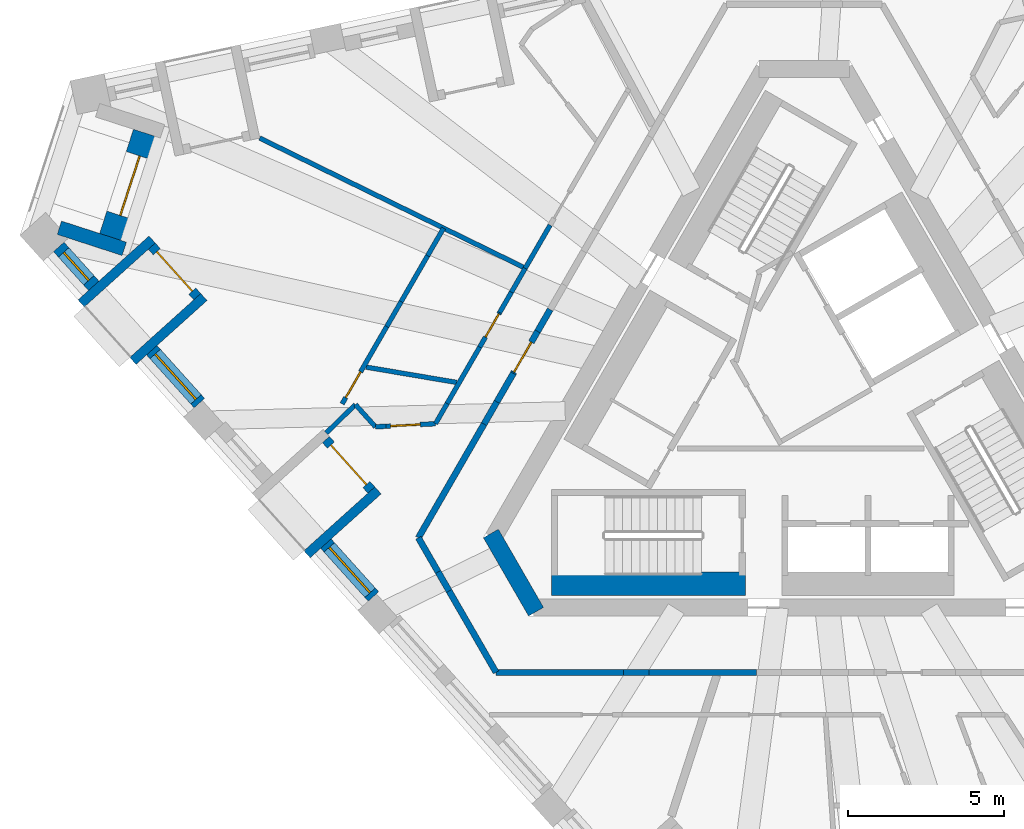
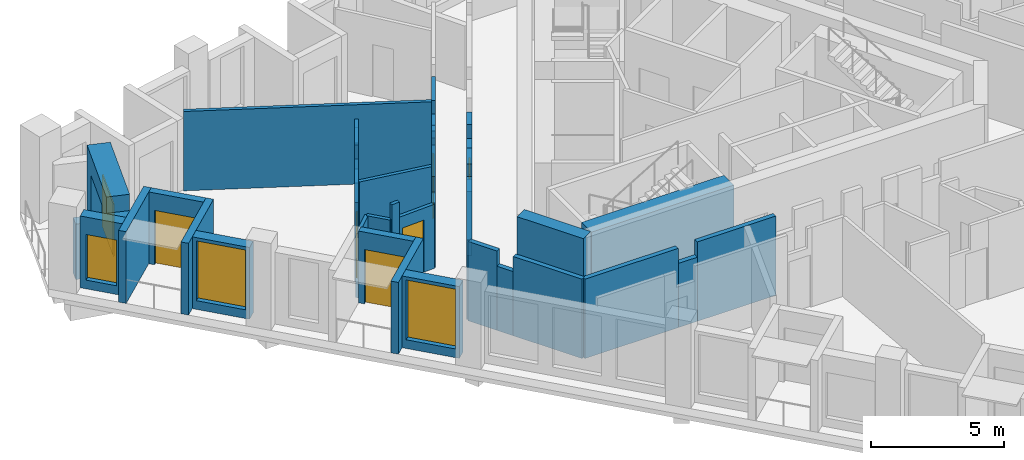
# One storey, part 3 of 12: 39 walls, 7 doors, 3 windows, 10 openings.
"""IFC4 building model written with IfcOpenShell, lengths in metres."""

from ifc_helpers import new_model, si_unit, direction, frame, frame_2d, origin, place, context, subcontext, project, spatial, polyline, rectangle, outline, extrude, material, layer, layer_set, type_object, element, fill, save


model = new_model("IFC4")

# Units and contexts
model_context = context("Model", 3, precision=1e-05, world=origin(), true_north=direction((0.0, 1.0)))
body_context = subcontext(model_context, "Body", "Model", "MODEL_VIEW")
ifc_project = project(units=[si_unit("LENGTHUNIT", "METRE"), si_unit("AREAUNIT", "SQUARE_METRE"), si_unit("VOLUMEUNIT", "CUBIC_METRE"), si_unit("PLANEANGLEUNIT", "RADIAN"), si_unit("MASSUNIT", "GRAM", prefix="KILO")], contexts=[model_context])

# Site, building, storey
site_placement = place(None, origin())
site = spatial("IfcSite", under=ifc_project, at=site_placement, CompositionType="ELEMENT")
building_placement = place(site_placement, origin())
building = spatial("IfcBuilding", under=site, at=building_placement, Name="Tramontana Tower", CompositionType="ELEMENT")
storey_placement = place(building_placement, frame((0.0, 0.0, 340.39990234375)))
storey = spatial("IfcBuildingStorey", under=building, at=storey_placement, Name="L78", CompositionType="ELEMENT", Elevation=340.39990234375)

# Walls
ifc_material_1 = material(Name="Concrete 70 MPa", Category="concrete")
ifc_layer_1 = layer(ifc_material_1, 0.550048828125)
ifc_layer_set_1 = layer_set([ifc_layer_1], Name="Core wall 550 70 MPa")
wall_type_1 = type_object("IfcWallType", Name="Core wall 550 70 MPa", PredefinedType="SHEAR", material=ifc_layer_set_1)
wall_1_placement = place(storey_placement, frame((-10.009765625, -4.112548828125, 0.0), z_axis=(0.0, 0.0, 1.0), x_axis=(0.499995765644, -0.866027848477, 0.0)))
element("IfcWall", 1, at=wall_1_placement, inside=storey, type_object=wall_type_1, Name="Core wall C2 L78", PredefinedType="SHEAR", context=body_context, shape_type="SweptSolid", body=[
    extrude(rectangle(XDim=2.88671875, YDim=0.550048828125, at=frame_2d((1.443359375, 0.0))), origin(), (0.0, 0.0, 1.0), 4.0),
])
ifc_material_2 = material(Name="Blockwork", Category="masonry")
ifc_layer_2 = layer(ifc_material_2, 0.199951171875)
ifc_layer_set_2 = layer_set([ifc_layer_2], Name="ENTRY WALL 200")
wall_type_2 = type_object("IfcWallType", Name="ENTRY WALL 200", PredefinedType="SOLIDWALL", material=ifc_layer_set_2)
wall_2_placement = place(storey_placement, frame((-1.528564453125, -8.550048828125, 0.0), z_axis=(0.0, 0.0, 1.0), x_axis=(-1.0, 0.0, 0.0)))
element("IfcWall", 2, at=wall_2_placement, inside=storey, type_object=wall_type_2, Name="Wall v81-ew1-8", PredefinedType="SOLIDWALL", context=body_context, shape_type="SweptSolid", body=[
    extrude(rectangle(XDim=3.423095703125, YDim=0.199951171875, at=frame_2d((1.71142578125, 0.0))), origin(), (0.0, 0.0, 1.0), 3.650146484375),
])
wall_3_placement = place(storey_placement, frame((-4.95166015625, -8.550048828125, 0.0), z_axis=(0.0, 0.0, 1.0), x_axis=(-1.0, 0.0, 0.0)))
element("IfcWall", 3, at=wall_3_placement, inside=storey, type_object=wall_type_2, Name="Wall v81-ew1-9", PredefinedType="SOLIDWALL", context=body_context, shape_type="SweptSolid", body=[
    extrude(rectangle(XDim=0.826416015625, YDim=0.199951171875, at=frame_2d((0.4130859375, 0.0))), origin(), (0.0, 0.0, 1.0), 2.9501953125),
])
wall_4_placement = place(storey_placement, frame((-5.778076171875, -8.550048828125, 0.0), z_axis=(0.0, 0.0, 1.0), x_axis=(-1.0, 0.0, 0.0)))
element("IfcWall", 4, at=wall_4_placement, inside=storey, type_object=wall_type_2, Name="Wall v81-ew1-10", PredefinedType="SOLIDWALL", context=body_context, shape_type="SweptSolid", body=[
    extrude(rectangle(XDim=4.065673828125, YDim=0.199951171875, at=frame_2d((2.03271484375, 0.0))), origin(), (0.0, 0.0, 1.0), 3.650146484375),
])
wall_5_placement = place(storey_placement, frame((-9.84375, -8.550048828125, 0.0), z_axis=(0.0, 0.0, 1.0), x_axis=(-0.500003959331, 0.866023117852, 0.0)))
element("IfcWall", 5, at=wall_5_placement, inside=storey, type_object=wall_type_2, Name="Wall v81-ew2-0", PredefinedType="SOLIDWALL", context=body_context, shape_type="SweptSolid", body=[
    extrude(rectangle(XDim=3.0029296875, YDim=0.199951171875, at=frame_2d((1.50146484375, 0.0))), origin(), (0.0, 0.0, 1.0), 3.650146484375),
])
wall_6_placement = place(storey_placement, frame((-11.34521484375, -5.949462890625, 0.0), z_axis=(0.0, 0.0, 1.0), x_axis=(-0.499993523031, 0.866029143232, 0.0)))
element("IfcWall", 6, at=wall_6_placement, inside=storey, type_object=wall_type_2, Name="Wall v81-ew2-1", PredefinedType="SOLIDWALL", context=body_context, shape_type="SweptSolid", body=[
    extrude(rectangle(XDim=0.70166015625, YDim=0.199951171875, at=frame_2d((0.350830078125, 0.0))), origin(), (0.0, 0.0, 1.0), 2.9501953125),
])
wall_7_placement = place(storey_placement, frame((-11.696044921875, -5.341796875, 0.0), z_axis=(0.0, 0.0, 1.0), x_axis=(-0.500013012896, 0.866017890655, 0.0)))
element("IfcWall", 7, at=wall_7_placement, inside=storey, type_object=wall_type_2, Name="Wall v81-ew2-2", PredefinedType="SOLIDWALL", context=body_context, shape_type="SweptSolid", body=[
    extrude(rectangle(XDim=1.2607421875, YDim=0.199951171875, at=frame_2d((0.63037109375, 0.0))), origin(), (0.0, 0.0, 1.0), 3.650146484375),
])
wall_8_placement = place(storey_placement, frame((-12.326416015625, -4.25, 0.0), z_axis=(0.0, 0.0, 1.0), x_axis=(0.499982771656, 0.866035350345, 0.0)))
element("IfcWall", 8, at=wall_8_placement, inside=storey, type_object=wall_type_2, Name="Wall v81-ew3-0", PredefinedType="SOLIDWALL", context=body_context, shape_type="SweptSolid", body=[
    extrude(rectangle(XDim=4.194580078125, YDim=0.199951171875, at=frame_2d((2.09716796875, 0.0))), origin(), (0.0, 0.0, 1.0), 3.650146484375),
])
wall_9_placement = place(storey_placement, frame((-10.229248046875, -0.617431640625, 0.0), z_axis=(0.0, 0.0, 1.0), x_axis=(0.5001686003, 0.865928040471, 0.0)))
element("IfcWall", 9, at=wall_9_placement, inside=storey, type_object=wall_type_2, Name="Wall v81-ew3-1", PredefinedType="SOLIDWALL", context=body_context, shape_type="SweptSolid", body=[
    extrude(rectangle(XDim=0.821044921875, YDim=0.199951171875, at=frame_2d((0.41064453125, 0.0))), origin(), (0.0, 0.0, 1.0), 2.9501953125),
])
wall_10_placement = place(storey_placement, frame((-9.818603515625, 0.093505859375, 0.0), z_axis=(0.0, 0.0, 1.0), x_axis=(0.499890179513, 0.866088799389, 0.0)))
element("IfcWall", 10, at=wall_10_placement, inside=storey, type_object=wall_type_2, Name="Wall v81-ew3-2", PredefinedType="SOLIDWALL", context=body_context, shape_type="SweptSolid", body=[
    extrude(rectangle(XDim=1.050048828125, YDim=0.199951171875, at=frame_2d((0.52490234375, 0.0))), origin(), (0.0, 0.0, 1.0), 3.650146484375),
])

# Wall, opening, door
wall_11_placement = place(storey_placement, frame((-9.293701171875, 1.0029296875, 0.0), z_axis=(0.0, 0.0, 1.0), x_axis=(0.500054401891, 0.86599399256, 0.0)))
wall_11 = element("IfcWall", 11, at=wall_11_placement, inside=storey, type_object=wall_type_2, Name="Wall v81-ew3-3", PredefinedType="SOLIDWALL", context=body_context, shape_type="SweptSolid", body=[
    extrude(outline(polyline([(0.0, 0.0), (1.549072265625, 0.0), (1.549072265625, 2.550048828125), (0.605224609375, 2.550048828125), (0.605224609375, 3.650146484375), (0.0, 3.650146484375), (0.0, 0.0)])), frame((0.0, 0.10009765625, 0.0), z_axis=(0.0, -1.0, 0.0), x_axis=(1.0, 0.0, 0.0)), (0.0, 0.0, 1.0), 0.199951171875),
])
opening_1_placement = place(wall_11_placement, frame((0.050048828125, 0.0, 0.0)))
opening_1 = element("IfcOpeningElement", 12, at=opening_1_placement, cuts=wall_11, Name="Opening B8B-16", PredefinedType="OPENING", context=body_context, shape_type="SweptSolid", body=[
    extrude(rectangle(XDim=1.10009765625, YDim=2.39990234375, at=frame_2d((0.550048828125, 1.199951171875))), frame((0.0, 0.10986328125, 0.0), z_axis=(0.0, -1.0, 0.0), x_axis=(1.0, 0.0, 0.0)), (0.0, 0.0, 1.0), 0.219970703125),
])
ifc_material_3 = material(Name="Painted timber", Category="wood")
door_type_1 = type_object("IfcDoorType", Name="DOOR ENTRY 1100", OperationType="SINGLE_SWING_LEFT", PredefinedType="DOOR", material=ifc_material_3)
door_1_placement = place(opening_1_placement, origin())
door_1 = element("IfcDoor", 13, at=door_1_placement, inside=storey, type_object=door_type_1, Name="Door B8B-16", OperationType="SINGLE_SWING_RIGHT", OverallHeight=2.39990234375, OverallWidth=1.10009765625, PredefinedType="DOOR", context=body_context, shape_type="SweptSolid", body=[
    extrude(rectangle(XDim=1.10009765625, YDim=2.39990234375, at=frame_2d((0.550048828125, 1.199951171875))), frame((0.0, 0.02490234375, 0.0), z_axis=(0.0, -1.0, 0.0), x_axis=(1.0, 0.0, 0.0)), (0.0, 0.0, 1.0), 0.050048828125),
])
fill(opening_1, door_1)

# Wall
wall_12_placement = place(storey_placement, frame((-8.51904296875, 2.344482421875, 0.0), z_axis=(0.0, 0.0, 1.0), x_axis=(0.499914554297, 0.866074730264, 0.0)))
element("IfcWall", 14, at=wall_12_placement, inside=storey, type_object=wall_type_2, Name="Wall v81-ew3-4", PredefinedType="SOLIDWALL", context=body_context, shape_type="SweptSolid", body=[
    extrude(rectangle(XDim=0.806884765625, YDim=0.199951171875, at=frame_2d((0.4033203125, 0.0))), origin(), (0.0, 0.0, 1.0), 3.650146484375),
])

# Wall, opening, window
ifc_material_4 = material(Name="Precast concrete 60 MPa", Category="concrete")
ifc_layer_3 = layer(ifc_material_4, 0.449951171875)
ifc_layer_set_3 = layer_set([ifc_layer_3], Name="Precast concrete 60 MPa, 450 mm")
wall_type_3 = type_object("IfcWallType", Name="EW1 Stone-faced precast wall 450", PredefinedType="SOLIDWALL", material=ifc_layer_set_3)
wall_13_placement = place(storey_placement, frame((-23.817138671875, 5.043212890625, 0.0), z_axis=(0.0, 0.0, 1.0), x_axis=(0.669182609054, -0.743097998746, 0.0)))
wall_13 = element("IfcWall", 15, at=wall_13_placement, inside=storey, type_object=wall_type_3, Name="External wall L78 face 0 bay 1", PredefinedType="SOLIDWALL", context=body_context, shape_type="SweptSolid", body=[
    extrude(rectangle(XDim=1.67138671875, YDim=0.449951171875, at=frame_2d((0.835693359375, 0.0))), origin(), (0.0, 0.0, 1.0), 3.300048828125),
])
opening_2_placement = place(wall_13_placement, frame((0.235595703125, 0.0, 0.39990234375)))
opening_2 = element("IfcOpeningElement", 16, at=opening_2_placement, cuts=wall_13, Name="Opening N3L", PredefinedType="OPENING", context=body_context, shape_type="SweptSolid", body=[
    extrude(rectangle(XDim=1.199951171875, YDim=2.10009765625, at=frame_2d((0.60009765625, 1.050048828125))), frame((0.0, 0.23486328125, 0.0), z_axis=(0.0, -1.0, 0.0), x_axis=(1.0, 0.0, 0.0)), (0.0, 0.0, 1.0), 0.469970703125),
])
ifc_material_5 = material(Name="Aluminum frame, double glazing unit", Category="aluminium")
window_type_1 = type_object("IfcWindowType", Name="N3L Window 1.2 x 2.1", PartitioningType="SINGLE_PANEL", PredefinedType="WINDOW", material=ifc_material_5)
window_1_placement = place(opening_2_placement, origin())
window_1 = element("IfcWindow", 17, at=window_1_placement, inside=storey, type_object=window_type_1, Name="Window N3L L78 face 0 module 1", OverallHeight=2.10009765625, OverallWidth=1.199951171875, PartitioningType="SINGLE_PANEL", PredefinedType="WINDOW", context=body_context, shape_type="SweptSolid", body=[
    extrude(rectangle(XDim=1.199951171875, YDim=2.10009765625, at=frame_2d((0.60009765625, 1.050048828125))), frame((0.0, 0.030029296875, 0.0), z_axis=(0.0, -1.0, 0.0), x_axis=(1.0, 0.0, 0.0)), (0.0, 0.0, 1.0), 0.06005859375),
])
fill(opening_2, window_1)

wall_14_placement = place(storey_placement, frame((-20.844482421875, 1.74169921875, 0.0), z_axis=(0.0, 0.0, 1.0), x_axis=(0.669160694992, -0.743117732447, 0.0)))
wall_14 = element("IfcWall", 18, at=wall_14_placement, inside=storey, type_object=wall_type_3, Name="External wall L78 face 0 bay 1", PredefinedType="SOLIDWALL", context=body_context, shape_type="SweptSolid", body=[
    extrude(rectangle(XDim=2.271240234375, YDim=0.449951171875, at=frame_2d((1.1357421875, 0.0))), origin(), (0.0, 0.0, 1.0), 3.300048828125),
])
opening_3_placement = place(wall_14_placement, frame((0.16064453125, 0.0, 0.39990234375)))
opening_3 = element("IfcOpeningElement", 19, at=opening_3_placement, cuts=wall_14, Name="Opening M3", PredefinedType="OPENING", context=body_context, shape_type="SweptSolid", body=[
    extrude(rectangle(XDim=1.949951171875, YDim=2.75, at=frame_2d((0.97509765625, 1.375))), frame((0.0, 0.23486328125, 0.0), z_axis=(0.0, -1.0, 0.0), x_axis=(1.0, 0.0, 0.0)), (0.0, 0.0, 1.0), 0.469970703125),
])
ifc_material_6 = material(Name="Aluminum frame, double glazing unit", Category="aluminium")
window_type_2 = type_object("IfcWindowType", Name="M3 Window 1.95 x 2.75", PartitioningType="SINGLE_PANEL", PredefinedType="WINDOW", material=ifc_material_6)
window_2_placement = place(opening_3_placement, origin())
window_2 = element("IfcWindow", 20, at=window_2_placement, inside=storey, type_object=window_type_2, Name="Window M3 L78 face 0 module 3", OverallHeight=2.75, OverallWidth=1.949951171875, PartitioningType="SINGLE_PANEL", PredefinedType="WINDOW", context=body_context, shape_type="SweptSolid", body=[
    extrude(rectangle(XDim=1.949951171875, YDim=2.75, at=frame_2d((0.97509765625, 1.375))), frame((0.0, 0.030029296875, 0.0), z_axis=(0.0, -1.0, 0.0), x_axis=(1.0, 0.0, 0.0)), (0.0, 0.0, 1.0), 0.06005859375),
])
fill(opening_3, window_2)

wall_15_placement = place(storey_placement, frame((-15.281494140625, -4.4365234375, 0.0), z_axis=(0.0, 0.0, 1.0), x_axis=(0.669107243666, -0.743165860676, 0.0)))
wall_15 = element("IfcWall", 21, at=wall_15_placement, inside=storey, type_object=wall_type_3, Name="External wall L78 face 0 bay 2", PredefinedType="SOLIDWALL", context=body_context, shape_type="SweptSolid", body=[
    extrude(rectangle(XDim=2.271240234375, YDim=0.449951171875, at=frame_2d((1.1357421875, 0.0))), origin(), (0.0, 0.0, 1.0), 3.300048828125),
])
opening_4_placement = place(wall_15_placement, frame((0.16064453125, 0.0, 0.39990234375)))
opening_4 = element("IfcOpeningElement", 22, at=opening_4_placement, cuts=wall_15, Name="Opening M3", PredefinedType="OPENING", context=body_context, shape_type="SweptSolid", body=[
    extrude(rectangle(XDim=1.949951171875, YDim=2.75, at=frame_2d((0.97509765625, 1.375))), frame((0.0, 0.23486328125, 0.0), z_axis=(0.0, -1.0, 0.0), x_axis=(1.0, 0.0, 0.0)), (0.0, 0.0, 1.0), 0.469970703125),
])
window_3_placement = place(opening_4_placement, origin())
window_3 = element("IfcWindow", 23, at=window_3_placement, inside=storey, type_object=window_type_2, Name="Window M3 L78 face 0 module 6", OverallHeight=2.75, OverallWidth=1.949951171875, PartitioningType="SINGLE_PANEL", PredefinedType="WINDOW", context=body_context, shape_type="SweptSolid", body=[
    extrude(rectangle(XDim=1.949951171875, YDim=2.75, at=frame_2d((0.97509765625, 1.375))), frame((0.0, 0.030029296875, 0.0), z_axis=(0.0, -1.0, 0.0), x_axis=(1.0, 0.0, 0.0)), (0.0, 0.0, 1.0), 0.06005859375),
])
fill(opening_4, window_3)

# Wall
wall_16_placement = place(storey_placement, frame((-23.79638671875, 5.6552734375, 0.0), z_axis=(0.0, 0.0, 1.0), x_axis=(0.951064526973, -0.308992338955, 0.0)))
element("IfcWall", 24, at=wall_16_placement, inside=storey, type_object=wall_type_3, Name="Corner loggia side wall L78 K80l", PredefinedType="SOLIDWALL", context=body_context, shape_type="SweptSolid", body=[
    extrude(rectangle(XDim=2.17919921875, YDim=0.449951171875, at=frame_2d((1.089599609375, 0.0))), origin(), (0.0, 0.0, 1.0), 2.550048828125),
])

# Wall, opening, door
ifc_material_7 = material(Name="Precast concrete 60 MPa", Category="concrete")
ifc_layer_4 = layer(ifc_material_7, 0.89990234375)
ifc_layer_set_4 = layer_set([ifc_layer_4], Name="EW2 Stone-faced corner loggia wall 900")
wall_type_4 = type_object("IfcWallType", Name="EW2 Stone-faced corner loggia wall 900", PredefinedType="SOLIDWALL", material=ifc_layer_set_4)
wall_17_placement = place(storey_placement, frame((-22.082275390625, 5.3349609375, 0.0), z_axis=(0.0, 0.0, 1.0), x_axis=(0.309019824916, 0.951055596592, 0.0)))
wall_17 = element("IfcWall", 25, at=wall_17_placement, inside=storey, type_object=wall_type_4, Name="Corner loggia wall L78 K80", PredefinedType="SOLIDWALL", context=body_context, shape_type="SweptSolid", body=[
    extrude(rectangle(XDim=3.5, YDim=0.89990234375, at=frame_2d((1.75, 0.0))), origin(), (0.0, 0.0, 1.0), 3.300048828125),
])
opening_5_placement = place(wall_17_placement, frame((0.75, 0.0, 0.0)))
opening_5 = element("IfcOpeningElement", 26, at=opening_5_placement, cuts=wall_17, Name="Opening BD-80C", PredefinedType="OPENING", context=body_context, shape_type="SweptSolid", body=[
    extrude(rectangle(XDim=2.0, YDim=2.39990234375, at=frame_2d((1.0, 1.199951171875))), frame((0.0, 0.4599609375, 0.0), z_axis=(0.0, -1.0, 0.0), x_axis=(1.0, 0.0, 0.0)), (0.0, 0.0, 1.0), 0.919921875),
])
ifc_material_8 = material(Name="Aluminum frame, double glazing unit", Category="aluminium")
door_type_2 = type_object("IfcDoorType", Name="BC1 Sliding door 2 x 2.4", OperationType="SLIDING_TO_LEFT", PredefinedType="DOOR", material=ifc_material_8)
door_2_placement = place(opening_5_placement, origin())
door_2 = element("IfcDoor", 27, at=door_2_placement, inside=storey, type_object=door_type_2, Name="Corner loggia door L78 K80", OperationType="SLIDING_TO_LEFT", OverallHeight=2.39990234375, OverallWidth=2.0, PredefinedType="DOOR", context=body_context, shape_type="SweptSolid", body=[
    extrude(rectangle(XDim=2.0, YDim=2.39990234375, at=frame_2d((1.0, 1.199951171875))), frame((0.0, 0.02490234375, 0.0), z_axis=(0.0, -1.0, 0.0), x_axis=(1.0, 0.0, 0.0)), (0.0, 0.0, 1.0), 0.050048828125),
])
fill(opening_5, door_2)

ifc_material_9 = material(Name="Precast concrete 60 MPa", Category="concrete")
ifc_layer_5 = layer(ifc_material_9, 0.300048828125)
ifc_layer_set_5 = layer_set([ifc_layer_5], Name="LW1 Stone-faced loggia wall 300")
wall_type_5 = type_object("IfcWallType", Name="LW1 Stone-faced loggia wall 300", PredefinedType="SOLIDWALL", material=ifc_layer_set_5)
wall_18_placement = place(storey_placement, frame((-20.844482421875, 5.067138671875, 0.0), z_axis=(0.0, 0.0, 1.0), x_axis=(0.669144868344, -0.743131983681, 0.0)))
wall_18 = element("IfcWall", 28, at=wall_18_placement, inside=storey, type_object=wall_type_5, Name="Loggia wall L78 G8S0.1", PredefinedType="SOLIDWALL", context=body_context, shape_type="SweptSolid", body=[
    extrude(rectangle(XDim=2.171142578125, YDim=0.300048828125, at=frame_2d((1.08544921875, 0.0))), origin(), (0.0, 0.0, 1.0), 3.300048828125),
])
opening_6_placement = place(wall_18_placement, frame((0.235595703125, 0.0, 0.0)))
opening_6 = element("IfcOpeningElement", 29, at=opening_6_placement, cuts=wall_18, Name="Opening BD-8S0-01", PredefinedType="OPENING", context=body_context, shape_type="SweptSolid", body=[
    extrude(rectangle(XDim=1.699951171875, YDim=2.5, at=frame_2d((0.85009765625, 1.25))), frame((0.0, 0.159912109375, 0.0), z_axis=(0.0, -1.0, 0.0), x_axis=(1.0, 0.0, 0.0)), (0.0, 0.0, 1.0), 0.320068359375),
])
ifc_material_10 = material(Name="Aluminum frame, double glazing unit", Category="aluminium")
door_type_3 = type_object("IfcDoorType", Name="BD3 Sliding door 1.7 x 2.5", OperationType="SLIDING_TO_LEFT", PredefinedType="DOOR", material=ifc_material_10)
door_3_placement = place(opening_6_placement, origin())
door_3 = element("IfcDoor", 30, at=door_3_placement, inside=storey, type_object=door_type_3, Name="Loggia door L78 G8S0.1", OperationType="SLIDING_TO_LEFT", OverallHeight=2.5, OverallWidth=1.699951171875, PredefinedType="DOOR", context=body_context, shape_type="SweptSolid", body=[
    extrude(rectangle(XDim=1.699951171875, YDim=2.5, at=frame_2d((0.85009765625, 1.25))), frame((0.0, 0.02490234375, 0.0), z_axis=(0.0, -1.0, 0.0), x_axis=(1.0, 0.0, 0.0)), (0.0, 0.0, 1.0), 0.050048828125),
])
fill(opening_6, door_3)

# Walls
for number, where, z_axis, x_axis, name in (
    (31, (-23.10009765625, 3.238037109375, 0.0), (0.0, 0.0, 1.0), (0.743158802514, 0.669115082961, 0.0), "Loggia return L78 G8S0.1a"),
    (32, (-21.446533203125, 1.401611328125, 0.0), (0.0, 0.0, 1.0), (0.743158802514, 0.669115082961, 0.0), "Loggia return L78 G8S0.1b"),
):
    element("IfcWall", number, at=place(storey_placement, frame(where, z_axis=z_axis, x_axis=x_axis)), inside=storey, type_object=wall_type_5, Name=name, PredefinedType="SOLIDWALL", context=body_context, shape_type="SweptSolid", body=[
        extrude(rectangle(XDim=3.050048828125, YDim=0.300048828125, at=frame_2d((1.52490234375, 0.0))), origin(), (0.0, 0.0, 1.0), 3.300048828125),
    ])

# Wall, opening, door
wall_19_placement = place(storey_placement, frame((-15.281494140625, -1.111328125, 0.0), z_axis=(0.0, 0.0, 1.0), x_axis=(0.669144868344, -0.743131983681, 0.0)))
wall_19 = element("IfcWall", 33, at=wall_19_placement, inside=storey, type_object=wall_type_5, Name="Loggia wall L78 G8S0.4", PredefinedType="SOLIDWALL", context=body_context, shape_type="SweptSolid", body=[
    extrude(rectangle(XDim=2.171142578125, YDim=0.300048828125, at=frame_2d((1.08544921875, 0.0))), origin(), (0.0, 0.0, 1.0), 3.300048828125),
])
opening_7_placement = place(wall_19_placement, frame((0.235595703125, 0.0, 0.0)))
opening_7 = element("IfcOpeningElement", 34, at=opening_7_placement, cuts=wall_19, Name="Opening BD-8S0-04", PredefinedType="OPENING", context=body_context, shape_type="SweptSolid", body=[
    extrude(rectangle(XDim=1.699951171875, YDim=2.5, at=frame_2d((0.85009765625, 1.25))), frame((0.0, 0.159912109375, 0.0), z_axis=(0.0, -1.0, 0.0), x_axis=(1.0, 0.0, 0.0)), (0.0, 0.0, 1.0), 0.320068359375),
])
door_4_placement = place(opening_7_placement, origin())
door_4 = element("IfcDoor", 35, at=door_4_placement, inside=storey, type_object=door_type_3, Name="Loggia door L78 G8S0.4", OperationType="SLIDING_TO_LEFT", OverallHeight=2.5, OverallWidth=1.699951171875, PredefinedType="DOOR", context=body_context, shape_type="SweptSolid", body=[
    extrude(rectangle(XDim=1.699951171875, YDim=2.5, at=frame_2d((0.85009765625, 1.25))), frame((0.0, 0.02490234375, 0.0), z_axis=(0.0, -1.0, 0.0), x_axis=(1.0, 0.0, 0.0)), (0.0, 0.0, 1.0), 0.050048828125),
])
fill(opening_7, door_4)

# Walls
wall_20_placement = place(storey_placement, frame((-15.88330078125, -4.77685546875, 0.0), z_axis=(0.0, 0.0, 1.0), x_axis=(0.743122960955, 0.669154888573, 0.0)))
element("IfcWall", 36, at=wall_20_placement, inside=storey, type_object=wall_type_5, Name="Loggia return L78 G8S0.4b", PredefinedType="SOLIDWALL", context=body_context, shape_type="SweptSolid", body=[
    extrude(rectangle(XDim=3.0498046875, YDim=0.300048828125, at=frame_2d((1.52490234375, 0.0))), origin(), (0.0, 0.0, 1.0), 3.300048828125),
])
ifc_material_11 = material(Name="Gypsum board partition")
ifc_layer_6 = layer(ifc_material_11, 0.14990234375)
ifc_layer_set_6 = layer_set([ifc_layer_6], Name="PARTITION 150")
wall_type_6 = type_object("IfcWallType", Name="PARTITION 150", PredefinedType="PARTITIONING", material=ifc_layer_set_6)
wall_21_placement = place(storey_placement, frame((-17.3935546875, 8.519775390625, 0.0), z_axis=(0.0, 0.0, 1.0), x_axis=(0.898055565806, -0.439882030463, 0.0)))
element("IfcWall", 37, at=wall_21_placement, inside=storey, type_object=wall_type_6, Name="Wall v81-pw00", PredefinedType="PARTITIONING", context=body_context, shape_type="SweptSolid", body=[
    extrude(rectangle(XDim=9.36962890625, YDim=0.14990234375, at=frame_2d((4.684814453125, 0.0))), origin(), (0.0, 0.0, 1.0), 3.650146484375),
])
wall_22_placement = place(storey_placement, frame((-15.2705078125, -0.8994140625, 0.0), z_axis=(0.0, 0.0, 1.0), x_axis=(0.716890692313, 0.69718558166, 0.0)))
element("IfcWall", 38, at=wall_22_placement, inside=storey, type_object=wall_type_6, Name="Wall v81-pw02-0", PredefinedType="PARTITIONING", context=body_context, shape_type="SweptSolid", body=[
    extrude(rectangle(XDim=1.301025390625, YDim=0.14990234375, at=frame_2d((0.650390625, 0.0))), origin(), (0.0, 0.0, 1.0), 2.9501953125),
])

# Wall, opening, door
wall_23_placement = place(storey_placement, frame((-14.76318359375, 0.029541015625, 0.0), z_axis=(0.0, 0.0, 1.0), x_axis=(0.500003887042, 0.866023159588, 0.0)))
wall_23 = element("IfcWall", 39, at=wall_23_placement, inside=storey, type_object=wall_type_6, Name="Wall v81-pw03-0", PredefinedType="PARTITIONING", context=body_context, shape_type="SweptSolid", body=[
    extrude(rectangle(XDim=2.853515625, YDim=0.14990234375, at=frame_2d((1.4267578125, 0.0))), origin(), (0.0, 0.0, 1.0), 3.650146484375),
])
opening_8_placement = place(wall_23_placement, frame((0.231201171875, 0.0, 0.0)))
opening_8 = element("IfcOpeningElement", 40, at=opening_8_placement, cuts=wall_23, Name="Opening B8B-15", PredefinedType="OPENING", context=body_context, shape_type="SweptSolid", body=[
    extrude(rectangle(XDim=0.949951171875, YDim=2.39990234375, at=frame_2d((0.47509765625, 1.199951171875))), frame((0.0, 0.0849609375, 0.0), z_axis=(0.0, -1.0, 0.0), x_axis=(1.0, 0.0, 0.0)), (0.0, 0.0, 1.0), 0.169921875),
])
ifc_material_12 = material(Name="Painted timber", Category="wood")
door_type_4 = type_object("IfcDoorType", Name="DOOR ROOM 950", OperationType="SINGLE_SWING_LEFT", PredefinedType="DOOR", material=ifc_material_12)
door_5_placement = place(opening_8_placement, origin())
door_5 = element("IfcDoor", 41, at=door_5_placement, inside=storey, type_object=door_type_4, Name="Door B8B-15", OperationType="SINGLE_SWING_LEFT", OverallHeight=2.39990234375, OverallWidth=0.949951171875, PredefinedType="DOOR", context=body_context, shape_type="SweptSolid", body=[
    extrude(rectangle(XDim=0.949951171875, YDim=2.39990234375, at=frame_2d((0.47509765625, 1.199951171875))), frame((0.0, 0.02490234375, 0.0), z_axis=(0.0, -1.0, 0.0), x_axis=(1.0, 0.0, 0.0)), (0.0, 0.0, 1.0), 0.050048828125),
])
fill(opening_8, door_5)

# Walls
wall_24_placement = place(storey_placement, frame((-13.33642578125, 2.500732421875, 0.0), z_axis=(0.0, 0.0, 1.0), x_axis=(0.500144624036, 0.865941888956, 0.0)))
element("IfcWall", 42, at=wall_24_placement, inside=storey, type_object=wall_type_6, Name="Wall v81-pw03-1", PredefinedType="PARTITIONING", context=body_context, shape_type="SweptSolid", body=[
    extrude(rectangle(XDim=0.917724609375, YDim=0.14990234375, at=frame_2d((0.458984375, 0.0))), origin(), (0.0, 0.0, 1.0), 2.550048828125),
])
wall_25_placement = place(storey_placement, frame((-12.87744140625, 3.29541015625, 0.0), z_axis=(0.0, 0.0, 1.0), x_axis=(0.499876388284, 0.86609675928, 0.0)))
element("IfcWall", 43, at=wall_25_placement, inside=storey, type_object=wall_type_6, Name="Wall v81-pw03-2", PredefinedType="PARTITIONING", context=body_context, shape_type="SweptSolid", body=[
    extrude(rectangle(XDim=1.693359375, YDim=0.14990234375, at=frame_2d((0.8466796875, 0.0))), origin(), (0.0, 0.0, 1.0), 3.650146484375),
])
wall_26_placement = place(storey_placement, frame((-12.031005859375, 4.761962890625, 0.0), z_axis=(0.0, 0.0, 1.0), x_axis=(0.500173430036, 0.86592525075, 0.0)))
element("IfcWall", 44, at=wall_26_placement, inside=storey, type_object=wall_type_6, Name="Wall v81-pw03-3", PredefinedType="PARTITIONING", context=body_context, shape_type="SweptSolid", body=[
    extrude(rectangle(XDim=1.015380859375, YDim=0.14990234375, at=frame_2d((0.5078125, 0.0))), origin(), (0.0, 0.0, 1.0), 2.550048828125),
])
wall_27_placement = place(storey_placement, frame((-14.337646484375, 0.007568359375, 0.0), z_axis=(0.0, 0.0, 1.0), x_axis=(0.669063599941, -0.743205152858, 0.0)))
element("IfcWall", 45, at=wall_27_placement, inside=storey, type_object=wall_type_6, Name="Wall v81-pw04-0", PredefinedType="PARTITIONING", context=body_context, shape_type="SweptSolid", body=[
    extrude(rectangle(XDim=0.954833984375, YDim=0.14990234375, at=frame_2d((0.4775390625, 0.0))), origin(), (0.0, 0.0, 1.0), 2.9501953125),
])
wall_28_placement = place(storey_placement, frame((-13.99853515625, 1.20361328125, 0.0), z_axis=(0.0, 0.0, 1.0), x_axis=(0.985967823365, -0.166935470431, 0.0)))
element("IfcWall", 46, at=wall_28_placement, inside=storey, type_object=wall_type_6, Name="Wall v81-pw05", PredefinedType="PARTITIONING", context=body_context, shape_type="SweptSolid", body=[
    extrude(rectangle(XDim=2.933837890625, YDim=0.14990234375, at=frame_2d((1.466796875, 0.0))), origin(), (0.0, 0.0, 1.0), 3.650146484375),
])
wall_29_placement = place(storey_placement, frame((-13.696533203125, -0.7041015625, 0.0), z_axis=(0.0, 0.0, 1.0), x_axis=(0.998699875795, 0.050976054049, 0.0)))
element("IfcWall", 47, at=wall_29_placement, inside=storey, type_object=wall_type_6, Name="Wall v81-pw06-0", PredefinedType="PARTITIONING", context=body_context, shape_type="SweptSolid", body=[
    extrude(rectangle(XDim=0.340087890625, YDim=0.14990234375, at=frame_2d((0.169921875, 0.0))), origin(), (0.0, 0.0, 1.0), 3.650146484375),
])

# Wall, opening, door
wall_30_placement = place(storey_placement, frame((-13.35693359375, -0.686767578125, 0.0), z_axis=(0.0, 0.0, 1.0), x_axis=(0.998690914006, 0.051151327273, 0.0)))
wall_30 = element("IfcWall", 48, at=wall_30_placement, inside=storey, type_object=wall_type_6, Name="Wall v81-pw06-1", PredefinedType="PARTITIONING", context=body_context, shape_type="SweptSolid", body=[
    extrude(rectangle(XDim=1.574951171875, YDim=0.14990234375, at=frame_2d((0.78759765625, 0.0))), origin(), (0.0, 0.0, 1.0), 2.9501953125),
])
opening_9_placement = place(wall_30_placement, frame((0.142578125, 0.0, 0.0)))
opening_9 = element("IfcOpeningElement", 49, at=opening_9_placement, cuts=wall_30, Name="Opening B8B-01", PredefinedType="OPENING", context=body_context, shape_type="SweptSolid", body=[
    extrude(rectangle(XDim=0.949951171875, YDim=2.39990234375, at=frame_2d((0.47509765625, 1.199951171875))), frame((0.0, 0.0849609375, 0.0), z_axis=(0.0, -1.0, 0.0), x_axis=(1.0, 0.0, 0.0)), (0.0, 0.0, 1.0), 0.169921875),
])
door_6_placement = place(opening_9_placement, origin())
door_6 = element("IfcDoor", 50, at=door_6_placement, inside=storey, type_object=door_type_4, Name="Door B8B-01", OperationType="SINGLE_SWING_LEFT", OverallHeight=2.39990234375, OverallWidth=0.949951171875, PredefinedType="DOOR", context=body_context, shape_type="SweptSolid", body=[
    extrude(rectangle(XDim=0.949951171875, YDim=2.39990234375, at=frame_2d((0.47509765625, 1.199951171875))), frame((0.0, 0.02490234375, 0.0), z_axis=(0.0, -1.0, 0.0), x_axis=(1.0, 0.0, 0.0)), (0.0, 0.0, 1.0), 0.050048828125),
])
fill(opening_9, door_6)

# Walls
wall_31_placement = place(storey_placement, frame((-11.7802734375, -0.60400390625, 0.0), z_axis=(0.0, 0.0, 1.0), x_axis=(0.500168092579, 0.865928333736, 0.0)))
element("IfcWall", 51, at=wall_31_placement, inside=storey, type_object=wall_type_6, Name="Wall v81-pw07-0", PredefinedType="PARTITIONING", context=body_context, shape_type="SweptSolid", body=[
    extrude(rectangle(XDim=0.742919921875, YDim=0.14990234375, at=frame_2d((0.37158203125, 0.0))), origin(), (0.0, 0.0, 1.0), 2.9501953125),
])
wall_32_placement = place(storey_placement, frame((-11.40869140625, 0.039306640625, 0.0), z_axis=(0.0, 0.0, 1.0), x_axis=(0.499969202016, 0.866043184279, 0.0)))
element("IfcWall", 52, at=wall_32_placement, inside=storey, type_object=wall_type_6, Name="Wall v81-pw07-1", PredefinedType="PARTITIONING", context=body_context, shape_type="SweptSolid", body=[
    extrude(rectangle(XDim=2.084228515625, YDim=0.14990234375, at=frame_2d((1.0419921875, 0.0))), origin(), (0.0, 0.0, 1.0), 3.650146484375),
])

# Wall, opening, door
wall_33_placement = place(storey_placement, frame((-10.36669921875, 1.84423828125, 0.0), z_axis=(0.0, 0.0, 1.0), x_axis=(0.499960764604, 0.866048055166, 0.0)))
wall_33 = element("IfcWall", 53, at=wall_33_placement, inside=storey, type_object=wall_type_6, Name="Wall v81-pw07-2", PredefinedType="PARTITIONING", context=body_context, shape_type="SweptSolid", body=[
    extrude(outline(polyline([(0.0, 0.0), (1.27099609375, 0.0), (1.271240234375, 3.650146484375), (0.917724609375, 3.650146484375), (0.917724609375, 2.550048828125), (0.0, 2.550048828125), (0.0, 0.0)])), frame((0.0, 0.074951171875, 0.0), z_axis=(0.0, -1.0, 0.0), x_axis=(1.0, 0.0, 0.0)), (0.0, 0.0, 1.0), 0.14990234375),
])
opening_10_placement = place(wall_33_placement, frame((0.37109375, 0.0, 0.0)))
opening_10 = element("IfcOpeningElement", 54, at=opening_10_placement, cuts=wall_33, Name="Opening B8B-02", PredefinedType="OPENING", context=body_context, shape_type="SweptSolid", body=[
    extrude(rectangle(XDim=0.85009765625, YDim=2.39990234375, at=frame_2d((0.425048828125, 1.199951171875))), frame((0.0, 0.0849609375, 0.0), z_axis=(0.0, -1.0, 0.0), x_axis=(1.0, 0.0, 0.0)), (0.0, 0.0, 1.0), 0.169921875),
])
ifc_material_13 = material(Name="Painted timber", Category="wood")
door_type_5 = type_object("IfcDoorType", Name="DOOR BATH 850", OperationType="SINGLE_SWING_LEFT", PredefinedType="DOOR", material=ifc_material_13)
door_7_placement = place(opening_10_placement, origin())
door_7 = element("IfcDoor", 55, at=door_7_placement, inside=storey, type_object=door_type_5, Name="Door B8B-02", OperationType="SINGLE_SWING_RIGHT", OverallHeight=2.39990234375, OverallWidth=0.85009765625, PredefinedType="DOOR", context=body_context, shape_type="SweptSolid", body=[
    extrude(rectangle(XDim=0.85009765625, YDim=2.39990234375, at=frame_2d((0.425048828125, 1.199951171875))), frame((0.0, 0.02490234375, 0.0), z_axis=(0.0, -1.0, 0.0), x_axis=(1.0, 0.0, 0.0)), (0.0, 0.0, 1.0), 0.050048828125),
])
fill(opening_10, door_7)

# Walls
wall_34_placement = place(storey_placement, frame((-9.731201171875, 2.945068359375, 0.0), z_axis=(0.0, 0.0, 1.0), x_axis=(0.500012686397, 0.866018079166, 0.0)))
element("IfcWall", 56, at=wall_34_placement, inside=storey, type_object=wall_type_6, Name="Wall v81-pw07-3", PredefinedType="PARTITIONING", context=body_context, shape_type="SweptSolid", body=[
    extrude(rectangle(XDim=0.75244140625, YDim=0.14990234375, at=frame_2d((0.376220703125, 0.0))), origin(), (0.0, 0.0, 1.0), 3.650146484375),
])
wall_35_placement = place(storey_placement, frame((-9.35498046875, 3.5966796875, 0.0), z_axis=(0.0, 0.0, 1.0), x_axis=(0.499986503906, 0.866033195618, 0.0)))
element("IfcWall", 57, at=wall_35_placement, inside=storey, type_object=wall_type_6, Name="Wall v81-pw07-4", PredefinedType="PARTITIONING", context=body_context, shape_type="SweptSolid", body=[
    extrude(rectangle(XDim=0.88037109375, YDim=0.14990234375, at=frame_2d((0.440185546875, 0.0))), origin(), (0.0, 0.0, 1.0), 2.550048828125),
])
wall_36_placement = place(storey_placement, frame((-8.914794921875, 4.359130859375, 0.0), z_axis=(0.0, 0.0, 1.0), x_axis=(0.500009674092, 0.866019818373, 0.0)))
element("IfcWall", 58, at=wall_36_placement, inside=storey, type_object=wall_type_6, Name="Wall v81-pw07-5", PredefinedType="PARTITIONING", context=body_context, shape_type="SweptSolid", body=[
    extrude(rectangle(XDim=1.59423828125, YDim=0.14990234375, at=frame_2d((0.797119140625, 0.0))), origin(), (0.0, 0.0, 1.0), 3.650146484375),
])
ifc_material_14 = material(Name="Concrete 70 MPa", Category="concrete")
ifc_layer_7 = layer(ifc_material_14, 0.75)
ifc_layer_set_7 = layer_set([ifc_layer_7], Name="Concrete 70 MPa, 750 mm")
wall_type_7 = type_object("IfcWallType", Name="RC SHAFT BACK WALL 750", PredefinedType="SOLIDWALL", material=ifc_layer_set_7)
wall_37_placement = place(storey_placement, frame((-8.080078125, -5.72509765625, 0.0), z_axis=(0.0, 0.0, 1.0), x_axis=(1.0, 0.0, 0.0)))
element("IfcWall", 59, at=wall_37_placement, inside=storey, type_object=wall_type_7, Name="Wall st2-back", PredefinedType="SOLIDWALL", context=body_context, shape_type="SweptSolid", body=[
    extrude(rectangle(XDim=6.2001953125, YDim=0.75, at=frame_2d((3.10009765625, 0.0))), origin(), (0.0, 0.0, 1.0), 3.650146484375),
])

save(model, "model.ifc")
